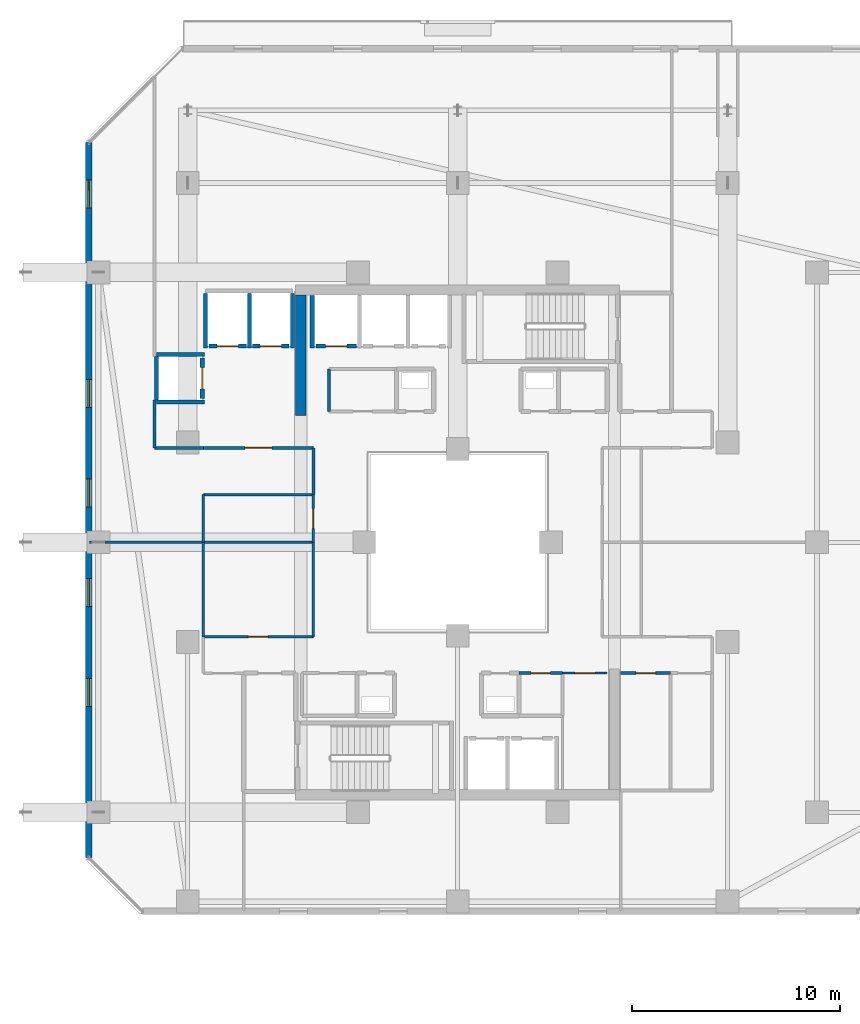
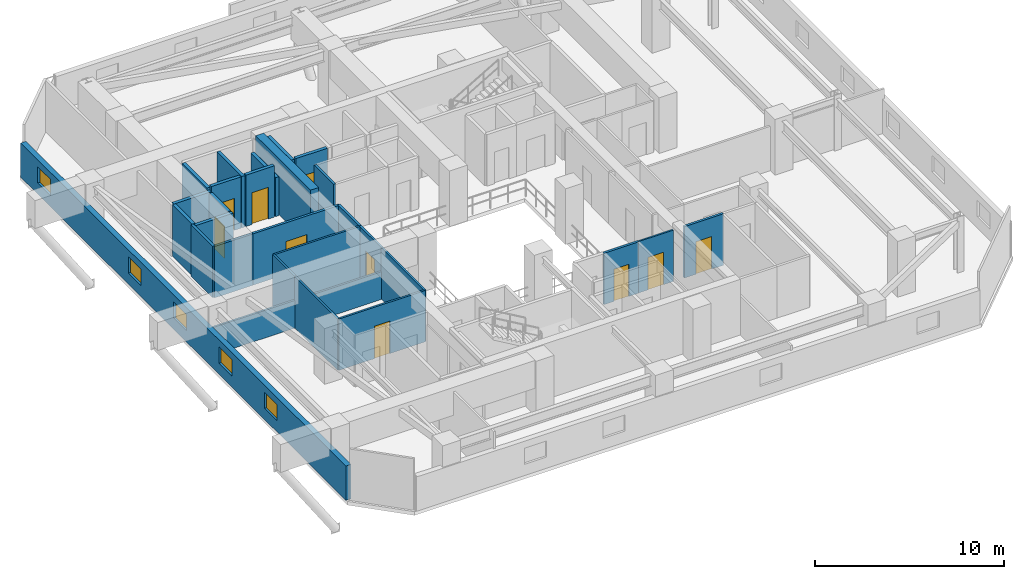
# One storey, part 23 of 36: 29 walls, 10 doors, 5 windows, 15 openings.
"""IFC4 building model written with IfcOpenShell, lengths in metres."""

from ifc_helpers import new_model, si_unit, direction, frame, frame_2d, origin, place, context, subcontext, project, spatial, rectangle, extrude, material, layer, layer_set, type_object, element, fill, save


model = new_model("IFC4")

# Units and contexts
model_context = context("Model", 3, precision=1e-05, world=origin(), true_north=direction((0.0, 1.0)))
body_context = subcontext(model_context, "Body", "Model", "MODEL_VIEW")
ifc_project = project(units=[si_unit("LENGTHUNIT", "METRE"), si_unit("AREAUNIT", "SQUARE_METRE"), si_unit("VOLUMEUNIT", "CUBIC_METRE"), si_unit("PLANEANGLEUNIT", "RADIAN"), si_unit("MASSUNIT", "GRAM", prefix="KILO")], contexts=[model_context])

# Site, building, storey
site_placement = place(None, origin())
site = spatial("IfcSite", under=ifc_project, at=site_placement, CompositionType="ELEMENT")
building_placement = place(site_placement, origin())
building = spatial("IfcBuilding", under=site, at=building_placement, Name="Thornwick Lancets Civic Towers", CompositionType="ELEMENT")
storey_placement = place(building_placement, frame((0.0, 0.0, 196.5)))
storey = spatial("IfcBuildingStorey", under=building, at=storey_placement, Name="L52", CompositionType="ELEMENT", Elevation=196.5)

# Wall, opening, door
ifc_material_1 = material(Name="Concrete blockwork C40/50", Category="masonry")
ifc_layer_1 = layer(ifc_material_1, 0.199951171875, Name="Concrete blockwork C40/50")
ifc_layer_set_1 = layer_set([ifc_layer_1], Name="Concrete blockwork C40/50")
wall_type_1 = type_object("IfcWallType", Name="WALL_COMP_200", PredefinedType="STANDARD", material=ifc_layer_set_1)
wall_1_placement = place(storey_placement, frame((20.6201171875, 36.449951171875, 0.0), z_axis=(0.0, 0.0, 1.0), x_axis=(-1.0, 0.0, 0.0)))
wall_1 = element("IfcWall", 1, at=wall_1_placement, inside=storey, type_object=wall_type_1, Name="L52 Hoistway Front Wall PL-AH3", PredefinedType="STANDARD", context=body_context, shape_type="SweptSolid", body=[
    extrude(rectangle(XDim=1.940185546875, YDim=0.199951171875, at=frame_2d((0.97021484375, 0.0))), origin(), (0.0, 0.0, 1.0), 3.320068359375),
])
opening_1_placement = place(wall_1_placement, frame((0.4599609375, 0.0, 0.0)))
opening_1 = element("IfcOpeningElement", 2, at=opening_1_placement, cuts=wall_1, Name="Opening LD-PL-AH3", PredefinedType="OPENING", context=body_context, shape_type="SweptSolid", body=[
    extrude(rectangle(XDim=1.02001953125, YDim=2.06005859375, at=frame_2d((0.510009765625, 1.030029296875))), frame((0.0, 0.10986328125, 0.0), z_axis=(0.0, -1.0, 0.0), x_axis=(1.0, 0.0, 0.0)), (0.0, 0.0, 1.0), 0.219970703125),
])
ifc_material_2 = material(Name="Brushed bronze stainless steel", Category="steel")
door_type_1 = type_object("IfcDoorType", Name="DOOR_LIFT_SLIDE", OperationType="SLIDING_TO_LEFT", PredefinedType="DOOR", material=ifc_material_2)
door_1_placement = place(opening_1_placement, origin())
door_1 = element("IfcDoor", 3, at=door_1_placement, inside=storey, type_object=door_type_1, Name="L52 Sliding Lift Landing Door LD-PL-AH3", OperationType="SLIDING_TO_LEFT", OverallHeight=2.06005859375, OverallWidth=1.02001953125, PredefinedType="DOOR", context=body_context, shape_type="SweptSolid", body=[
    extrude(rectangle(XDim=1.02001953125, YDim=2.06005859375, at=frame_2d((0.510009765625, 1.030029296875))), frame((0.0, 0.02490234375, 0.0), z_axis=(0.0, -1.0, 0.0), x_axis=(1.0, 0.0, 0.0)), (0.0, 0.0, 1.0), 0.050048828125),
])
fill(opening_1, door_1)

wall_2_placement = place(storey_placement, frame((17.3701171875, 36.449951171875, 0.0), z_axis=(0.0, 0.0, 1.0), x_axis=(-1.0, 0.0, 0.0)))
wall_2 = element("IfcWall", 4, at=wall_2_placement, inside=storey, type_object=wall_type_1, Name="L52 Hoistway Front Wall PL-AM1", PredefinedType="STANDARD", context=body_context, shape_type="SweptSolid", body=[
    extrude(rectangle(XDim=1.740234375, YDim=0.199951171875, at=frame_2d((0.8701171875, 0.0))), origin(), (0.0, 0.0, 1.0), 3.320068359375),
])
opening_2_placement = place(wall_2_placement, frame((0.360107421875, 0.0, 0.0)))
opening_2 = element("IfcOpeningElement", 5, at=opening_2_placement, cuts=wall_2, Name="Opening LD-PL-AM1", PredefinedType="OPENING", context=body_context, shape_type="SweptSolid", body=[
    extrude(rectangle(XDim=1.02001953125, YDim=2.06005859375, at=frame_2d((0.510009765625, 1.030029296875))), frame((0.0, 0.10986328125, 0.0), z_axis=(0.0, -1.0, 0.0), x_axis=(1.0, 0.0, 0.0)), (0.0, 0.0, 1.0), 0.219970703125),
])
door_2_placement = place(opening_2_placement, origin())
door_2 = element("IfcDoor", 6, at=door_2_placement, inside=storey, type_object=door_type_1, Name="L52 Sliding Lift Landing Door LD-PL-AM1", OperationType="SLIDING_TO_LEFT", OverallHeight=2.06005859375, OverallWidth=1.02001953125, PredefinedType="DOOR", context=body_context, shape_type="SweptSolid", body=[
    extrude(rectangle(XDim=1.02001953125, YDim=2.06005859375, at=frame_2d((0.510009765625, 1.030029296875))), frame((0.0, 0.02490234375, 0.0), z_axis=(0.0, -1.0, 0.0), x_axis=(1.0, 0.0, 0.0)), (0.0, 0.0, 1.0), 0.050048828125),
])
fill(opening_2, door_2)

wall_3_placement = place(storey_placement, frame((15.320068359375, 36.449951171875, 0.0), z_axis=(0.0, 0.0, 1.0), x_axis=(-1.0, 0.0, 0.0)))
wall_3 = element("IfcWall", 7, at=wall_3_placement, inside=storey, type_object=wall_type_1, Name="L52 Hoistway Front Wall PL-AM2", PredefinedType="STANDARD", context=body_context, shape_type="SweptSolid", body=[
    extrude(rectangle(XDim=1.7900390625, YDim=0.199951171875, at=frame_2d((0.89501953125, 0.0))), origin(), (0.0, 0.0, 1.0), 3.320068359375),
])
opening_3_placement = place(wall_3_placement, frame((0.385009765625, 0.0, 0.0)))
opening_3 = element("IfcOpeningElement", 8, at=opening_3_placement, cuts=wall_3, Name="Opening LD-PL-AM2", PredefinedType="OPENING", context=body_context, shape_type="SweptSolid", body=[
    extrude(rectangle(XDim=1.02001953125, YDim=2.06005859375, at=frame_2d((0.510009765625, 1.030029296875))), frame((0.0, 0.10986328125, 0.0), z_axis=(0.0, -1.0, 0.0), x_axis=(1.0, 0.0, 0.0)), (0.0, 0.0, 1.0), 0.219970703125),
])
door_3_placement = place(opening_3_placement, origin())
door_3 = element("IfcDoor", 9, at=door_3_placement, inside=storey, type_object=door_type_1, Name="L52 Sliding Lift Landing Door LD-PL-AM2", OperationType="SLIDING_TO_LEFT", OverallHeight=2.06005859375, OverallWidth=1.02001953125, PredefinedType="DOOR", context=body_context, shape_type="SweptSolid", body=[
    extrude(rectangle(XDim=1.02001953125, YDim=2.06005859375, at=frame_2d((0.510009765625, 1.030029296875))), frame((0.0, 0.02490234375, 0.0), z_axis=(0.0, -1.0, 0.0), x_axis=(1.0, 0.0, 0.0)), (0.0, 0.0, 1.0), 0.050048828125),
])
fill(opening_3, door_3)

wall_4_placement = place(storey_placement, frame((13.199951171875, 33.929931640625, 0.0), z_axis=(0.0, 0.0, 1.0), x_axis=(0.0, 1.0, 0.0)))
wall_4 = element("IfcWall", 10, at=wall_4_placement, inside=storey, type_object=wall_type_1, Name="L52 Hoistway Front Wall PL-AM3", PredefinedType="STANDARD", context=body_context, shape_type="SweptSolid", body=[
    extrude(rectangle(XDim=1.940185546875, YDim=0.199951171875, at=frame_2d((0.97021484375, 0.0))), origin(), (0.0, 0.0, 1.0), 3.320068359375),
])
opening_4_placement = place(wall_4_placement, frame((0.4599609375, 0.0, 0.0)))
opening_4 = element("IfcOpeningElement", 11, at=opening_4_placement, cuts=wall_4, Name="Opening LD-PL-AM3", PredefinedType="OPENING", context=body_context, shape_type="SweptSolid", body=[
    extrude(rectangle(XDim=1.02001953125, YDim=2.06005859375, at=frame_2d((0.510009765625, 1.030029296875))), frame((0.0, 0.10986328125, 0.0), z_axis=(0.0, -1.0, 0.0), x_axis=(1.0, 0.0, 0.0)), (0.0, 0.0, 1.0), 0.219970703125),
])
door_4_placement = place(opening_4_placement, origin())
door_4 = element("IfcDoor", 12, at=door_4_placement, inside=storey, type_object=door_type_1, Name="L52 Sliding Lift Landing Door LD-PL-AM3", OperationType="SLIDING_TO_LEFT", OverallHeight=2.06005859375, OverallWidth=1.02001953125, PredefinedType="DOOR", context=body_context, shape_type="SweptSolid", body=[
    extrude(rectangle(XDim=1.02001953125, YDim=2.06005859375, at=frame_2d((0.510009765625, 1.030029296875))), frame((0.0, 0.02490234375, 0.0), z_axis=(0.0, -1.0, 0.0), x_axis=(1.0, 0.0, 0.0)), (0.0, 0.0, 1.0), 0.050048828125),
])
fill(opening_4, door_4)

# Walls
wall_5_placement = place(storey_placement, frame((18.5, 36.35205078125, 0.0), z_axis=(0.0, 0.0, 1.0), x_axis=(0.0, 1.0, 0.0)))
element("IfcWall", 13, at=wall_5_placement, inside=storey, type_object=wall_type_1, Name="L52 Hoistway Shaft Wall PL-AH3 W", PredefinedType="STANDARD", context=body_context, shape_type="SweptSolid", body=[
    extrude(rectangle(XDim=2.535888671875, YDim=0.199951171875, at=frame_2d((1.26806640625, 0.0))), origin(), (0.0, 0.0, 1.0), 3.320068359375),
])
wall_6_placement = place(storey_placement, frame((17.550048828125, 36.35205078125, 0.0), z_axis=(0.0, 0.0, 1.0), x_axis=(0.0, 1.0, 0.0)))
element("IfcWall", 14, at=wall_6_placement, inside=storey, type_object=wall_type_1, Name="L52 Hoistway Shaft Wall PL-AM1 E", PredefinedType="STANDARD", context=body_context, shape_type="SweptSolid", body=[
    extrude(rectangle(XDim=2.635986328125, YDim=0.199951171875, at=frame_2d((1.31787109375, 0.0))), origin(), (0.0, 0.0, 1.0), 2.52490234375),
])
for number, where, z_axis, x_axis, name in (
    (15, (15.47509765625, 36.35205078125, 0.0), (0.0, 0.0, 1.0), (0.0, 1.0, 0.0), "L52 Hoistway Shaft Wall PL-AM1 W"),
    (16, (13.35009765625, 36.35205078125, 0.0), (0.0, 0.0, 1.0), (0.0, 1.0, 0.0), "L52 Hoistway Shaft Wall PL-AM2 W"),
):
    element("IfcWall", number, at=place(storey_placement, frame(where, z_axis=z_axis, x_axis=x_axis)), inside=storey, type_object=wall_type_1, Name=name, PredefinedType="STANDARD", context=body_context, shape_type="SweptSolid", body=[
        extrude(rectangle(XDim=2.635986328125, YDim=0.199951171875, at=frame_2d((1.31787109375, 0.0))), origin(), (0.0, 0.0, 1.0), 3.320068359375),
    ])
for number, where, z_axis, x_axis, name in (
    (17, (11.001953125, 36.050048828125, 0.0), (0.0, 0.0, 1.0), (1.0, 0.0, 0.0), "L52 Hoistway Shaft Wall PL-AM3 N"),
    (18, (11.001953125, 33.75, 0.0), (0.0, 0.0, 1.0), (1.0, 0.0, 0.0), "L52 Hoistway Shaft Wall PL-AM3 S"),
):
    element("IfcWall", number, at=place(storey_placement, frame(where, z_axis=z_axis, x_axis=x_axis)), inside=storey, type_object=wall_type_1, Name=name, PredefinedType="STANDARD", context=body_context, shape_type="SweptSolid", body=[
        extrude(rectangle(XDim=2.296142578125, YDim=0.199951171875, at=frame_2d((1.14794921875, 0.0))), origin(), (0.0, 0.0, 1.0), 3.320068359375),
    ])
wall_7_placement = place(storey_placement, frame((11.0, 33.862060546875, 0.0), z_axis=(0.0, 0.0, 1.0), x_axis=(0.0, 1.0, 0.0)))
element("IfcWall", 19, at=wall_7_placement, inside=storey, type_object=wall_type_1, Name="L52 Hoistway Shaft Wall PL-AM3 W", PredefinedType="STANDARD", context=body_context, shape_type="SweptSolid", body=[
    extrude(rectangle(XDim=2.075927734375, YDim=0.199951171875, at=frame_2d((1.0380859375, 0.0))), origin(), (0.0, 0.0, 1.0), 3.320068359375),
])
ifc_material_3 = material(Name="Concrete C50/60", Category="concrete")
ifc_layer_2 = layer(ifc_material_3, 0.5, Name="Concrete C50/60")
ifc_layer_set_2 = layer_set([ifc_layer_2], Name="Concrete C50/60")
wall_type_2 = type_object("IfcWallType", Name="WALL_CORE_500", PredefinedType="SHEAR", material=ifc_layer_set_2)
wall_8_placement = place(storey_placement, frame((17.949951171875, 33.10009765625, 0.0), z_axis=(0.0, 0.0, 1.0), x_axis=(0.0, 1.0, 0.0)))
element("IfcWall", 20, at=wall_8_placement, inside=storey, type_object=wall_type_2, Name="L52 Split Core A2 Shear Wall W", PredefinedType="SHEAR", context=body_context, shape_type="SweptSolid", body=[
    extrude(rectangle(XDim=5.7998046875, YDim=0.5, at=frame_2d((2.89990234375, 0.0))), origin(), (0.0, 0.0, 1.0), 3.60009765625),
])

# Wall, openings, windows
ifc_material_4 = material(Name="Insulated buff terracotta rainscreen on concrete C40/50", Category="masonry")
ifc_layer_3 = layer(ifc_material_4, 0.320068359375, Name="Insulated buff terracotta rainscreen on concrete C40/50")
ifc_layer_set_3 = layer_set([ifc_layer_3], Name="Insulated buff terracotta rainscreen on concrete C40/50")
wall_type_3 = type_object("IfcWallType", Name="WALL_EXT_TERRA_320", PredefinedType="STANDARD", material=ifc_layer_set_3)
wall_9_placement = place(storey_placement, frame((7.74169921875, 46.2509765625, 0.0), z_axis=(0.0, 0.0, 1.0), x_axis=(-0.000184351399, -0.999999983007, 0.0)))
wall_9 = element("IfcWall", 21, at=wall_9_placement, inside=storey, type_object=wall_type_3, Name="L52 Tower A Terracotta Facade Wall E6", PredefinedType="STANDARD", context=body_context, shape_type="SweptSolid", body=[
    extrude(rectangle(XDim=34.432373046875, YDim=0.320068359375, at=frame_2d((17.21630859375, 0.0))), origin(), (0.0, 0.0, 1.0), 2.219970703125),
])
opening_5_placement = place(wall_9_placement, frame((1.800048828125, 0.0, 0.719970703125)))
opening_5 = element("IfcOpeningElement", 22, at=opening_5_placement, cuts=wall_9, Name="Opening WL-03", PredefinedType="OPENING", context=body_context, shape_type="SweptSolid", body=[
    extrude(rectangle(XDim=1.35009765625, YDim=1.050048828125, at=frame_2d((0.675048828125, 0.52490234375))), frame((0.0, 0.169921875, 0.0), z_axis=(0.0, -1.0, 0.0), x_axis=(1.0, 0.0, 0.0)), (0.0, 0.0, 1.0), 0.340087890625),
])
opening_6_placement = place(wall_9_placement, frame((11.39990234375, 0.0, 0.719970703125)))
opening_6 = element("IfcOpeningElement", 23, at=opening_6_placement, cuts=wall_9, Name="Opening WL-03", PredefinedType="OPENING", context=body_context, shape_type="SweptSolid", body=[
    extrude(rectangle(XDim=1.35009765625, YDim=1.050048828125, at=frame_2d((0.675048828125, 0.52490234375))), frame((0.0, 0.169921875, 0.0), z_axis=(0.0, -1.0, 0.0), x_axis=(1.0, 0.0, 0.0)), (0.0, 0.0, 1.0), 0.340087890625),
])
opening_7_placement = place(wall_9_placement, frame((16.199951171875, 0.0, 0.719970703125)))
opening_7 = element("IfcOpeningElement", 24, at=opening_7_placement, cuts=wall_9, Name="Opening WL-03", PredefinedType="OPENING", context=body_context, shape_type="SweptSolid", body=[
    extrude(rectangle(XDim=1.35009765625, YDim=1.050048828125, at=frame_2d((0.675048828125, 0.52490234375))), frame((0.0, 0.169921875, 0.0), z_axis=(0.0, -1.0, 0.0), x_axis=(1.0, 0.0, 0.0)), (0.0, 0.0, 1.0), 0.340087890625),
])
opening_8_placement = place(wall_9_placement, frame((21.0, 0.0, 0.719970703125)))
opening_8 = element("IfcOpeningElement", 25, at=opening_8_placement, cuts=wall_9, Name="Opening WL-03", PredefinedType="OPENING", context=body_context, shape_type="SweptSolid", body=[
    extrude(rectangle(XDim=1.35009765625, YDim=1.050048828125, at=frame_2d((0.675048828125, 0.52490234375))), frame((0.0, 0.169921875, 0.0), z_axis=(0.0, -1.0, 0.0), x_axis=(1.0, 0.0, 0.0)), (0.0, 0.0, 1.0), 0.340087890625),
])
opening_9_placement = place(wall_9_placement, frame((25.800048828125, 0.0, 0.719970703125)))
opening_9 = element("IfcOpeningElement", 26, at=opening_9_placement, cuts=wall_9, Name="Opening WL-03", PredefinedType="OPENING", context=body_context, shape_type="SweptSolid", body=[
    extrude(rectangle(XDim=1.35009765625, YDim=1.050048828125, at=frame_2d((0.675048828125, 0.52490234375))), frame((0.0, 0.169921875, 0.0), z_axis=(0.0, -1.0, 0.0), x_axis=(1.0, 0.0, 0.0)), (0.0, 0.0, 1.0), 0.340087890625),
])
ifc_material_5 = material(Name="Clear low-e double glazing clerestory lancet", Category="glass")
window_type = type_object("IfcWindowType", Name="WIN_LANCET_1350", PartitioningType="SINGLE_PANEL", PredefinedType="WINDOW", material=ifc_material_5)
window_1_placement = place(opening_5_placement, origin())
window_1 = element("IfcWindow", 27, at=window_1_placement, inside=storey, type_object=window_type, Name="L52 Tower A Staggered Lancet Window E6-1", OverallHeight=1.050048828125, OverallWidth=1.35009765625, PartitioningType="SINGLE_PANEL", PredefinedType="WINDOW", context=body_context, shape_type="SweptSolid", body=[
    extrude(rectangle(XDim=1.35009765625, YDim=1.050048828125, at=frame_2d((0.675048828125, 0.52490234375))), frame((0.0, 0.030029296875, 0.0), z_axis=(0.0, -1.0, 0.0), x_axis=(1.0, 0.0, 0.0)), (0.0, 0.0, 1.0), 0.06005859375),
])
fill(opening_5, window_1)
window_2_placement = place(opening_6_placement, origin())
window_2 = element("IfcWindow", 28, at=window_2_placement, inside=storey, type_object=window_type, Name="L52 Tower A Staggered Lancet Window E6-2", OverallHeight=1.050048828125, OverallWidth=1.35009765625, PartitioningType="SINGLE_PANEL", PredefinedType="WINDOW", context=body_context, shape_type="SweptSolid", body=[
    extrude(rectangle(XDim=1.35009765625, YDim=1.050048828125, at=frame_2d((0.675048828125, 0.52490234375))), frame((0.0, 0.030029296875, 0.0), z_axis=(0.0, -1.0, 0.0), x_axis=(1.0, 0.0, 0.0)), (0.0, 0.0, 1.0), 0.06005859375),
])
fill(opening_6, window_2)
window_3_placement = place(opening_7_placement, origin())
window_3 = element("IfcWindow", 29, at=window_3_placement, inside=storey, type_object=window_type, Name="L52 Tower A Staggered Lancet Window E6-3", OverallHeight=1.050048828125, OverallWidth=1.35009765625, PartitioningType="SINGLE_PANEL", PredefinedType="WINDOW", context=body_context, shape_type="SweptSolid", body=[
    extrude(rectangle(XDim=1.35009765625, YDim=1.050048828125, at=frame_2d((0.675048828125, 0.52490234375))), frame((0.0, 0.030029296875, 0.0), z_axis=(0.0, -1.0, 0.0), x_axis=(1.0, 0.0, 0.0)), (0.0, 0.0, 1.0), 0.06005859375),
])
fill(opening_7, window_3)
window_4_placement = place(opening_8_placement, origin())
window_4 = element("IfcWindow", 30, at=window_4_placement, inside=storey, type_object=window_type, Name="L52 Tower A Staggered Lancet Window E6-4", OverallHeight=1.050048828125, OverallWidth=1.35009765625, PartitioningType="SINGLE_PANEL", PredefinedType="WINDOW", context=body_context, shape_type="SweptSolid", body=[
    extrude(rectangle(XDim=1.35009765625, YDim=1.050048828125, at=frame_2d((0.675048828125, 0.52490234375))), frame((0.0, 0.030029296875, 0.0), z_axis=(0.0, -1.0, 0.0), x_axis=(1.0, 0.0, 0.0)), (0.0, 0.0, 1.0), 0.06005859375),
])
fill(opening_8, window_4)
window_5_placement = place(opening_9_placement, origin())
window_5 = element("IfcWindow", 31, at=window_5_placement, inside=storey, type_object=window_type, Name="L52 Tower A Staggered Lancet Window E6-5", OverallHeight=1.050048828125, OverallWidth=1.35009765625, PartitioningType="SINGLE_PANEL", PredefinedType="WINDOW", context=body_context, shape_type="SweptSolid", body=[
    extrude(rectangle(XDim=1.35009765625, YDim=1.050048828125, at=frame_2d((0.675048828125, 0.52490234375))), frame((0.0, 0.030029296875, 0.0), z_axis=(0.0, -1.0, 0.0), x_axis=(1.0, 0.0, 0.0)), (0.0, 0.0, 1.0), 0.06005859375),
])
fill(opening_9, window_5)

# Wall, opening, door
ifc_material_6 = material(Name="Lightweight cellular office partition")
ifc_layer_4 = layer(ifc_material_6, 0.10009765625, Name="Lightweight cellular office partition")
ifc_layer_set_4 = layer_set([ifc_layer_4], Name="Lightweight cellular office partition")
wall_type_4 = type_object("IfcWallType", Name="WALL_PART_100", PredefinedType="PARTITIONING", material=ifc_layer_set_4)
wall_10_placement = place(storey_placement, frame((30.550048828125, 20.699951171875, 0.0), z_axis=(0.0, 0.0, 1.0), x_axis=(1.0, 0.0, 0.0)))
wall_10 = element("IfcWall", 32, at=wall_10_placement, inside=storey, type_object=wall_type_4, Name="L52 Partition L52-A-CLN E5", PredefinedType="PARTITIONING", context=body_context, shape_type="SweptSolid", body=[
    extrude(rectangle(XDim=2.14990234375, YDim=0.10009765625, at=frame_2d((1.074951171875, 0.0))), origin(), (0.0, 0.0, 1.0), 3.320068359375),
])
opening_10_placement = place(wall_10_placement, frame((0.60009765625, 0.0, 0.0)))
opening_10 = element("IfcOpeningElement", 33, at=opening_10_placement, cuts=wall_10, Name="Opening D-L52-2307", PredefinedType="OPENING", context=body_context, shape_type="SweptSolid", body=[
    extrude(rectangle(XDim=0.949951171875, YDim=2.10009765625, at=frame_2d((0.47509765625, 1.050048828125))), frame((0.0, 0.06005859375, 0.0), z_axis=(0.0, -1.0, 0.0), x_axis=(1.0, 0.0, 0.0)), (0.0, 0.0, 1.0), 0.1201171875),
])
ifc_material_7 = material(Name="European oak acoustic doorset")
door_type_2 = type_object("IfcDoorType", Name="DOOR_OFFICE_950", OperationType="NOTDEFINED", PredefinedType="DOOR", material=ifc_material_7)
door_5_placement = place(opening_10_placement, origin())
door_5 = element("IfcDoor", 34, at=door_5_placement, inside=storey, type_object=door_type_2, Name="L52 Tower A Cleaners Store Door", OperationType="SINGLE_SWING_RIGHT", OverallHeight=2.10009765625, OverallWidth=0.949951171875, PredefinedType="DOOR", context=body_context, shape_type="SweptSolid", body=[
    extrude(rectangle(XDim=0.949951171875, YDim=2.10009765625, at=frame_2d((0.47509765625, 1.050048828125))), frame((0.0, 0.02490234375, 0.0), z_axis=(0.0, -1.0, 0.0), x_axis=(1.0, 0.0, 0.0)), (0.0, 0.0, 1.0), 0.050048828125),
])
fill(opening_10, door_5)

# Walls
ifc_material_8 = material(Name="Acoustic gypsum board partition")
ifc_layer_5 = layer(ifc_material_8, 0.1201171875, Name="Acoustic gypsum board partition")
ifc_layer_set_5 = layer_set([ifc_layer_5], Name="Acoustic gypsum board partition")
wall_type_5 = type_object("IfcWallType", Name="WALL_PART_120", PredefinedType="PARTITIONING", material=ifc_layer_set_5)
wall_11_placement = place(storey_placement, frame((7.780029296875, 27.0, 0.0), z_axis=(0.0, 0.0, 1.0), x_axis=(1.0, 0.0, 0.0)))
element("IfcWall", 35, at=wall_11_placement, inside=storey, type_object=wall_type_5, Name="L52 Partition L52-A-W1 E2", PredefinedType="PARTITIONING", context=body_context, shape_type="SweptSolid", body=[
    extrude(rectangle(XDim=5.469970703125, YDim=0.1201171875, at=frame_2d((2.73486328125, 0.0))), origin(), (0.0, 0.0, 1.0), 1.784912109375),
])
wall_12_placement = place(storey_placement, frame((13.25, 27.0, 0.0), z_axis=(0.0, 0.0, 1.0), x_axis=(0.0, -1.0, 0.0)))
element("IfcWall", 36, at=wall_12_placement, inside=storey, type_object=wall_type_5, Name="L52 Partition L52-A-W1 E3", PredefinedType="PARTITIONING", context=body_context, shape_type="SweptSolid", body=[
    extrude(rectangle(XDim=4.550048828125, YDim=0.1201171875, at=frame_2d((2.27490234375, 0.0))), origin(), (0.0, 0.0, 1.0), 3.320068359375),
])
wall_13_placement = place(storey_placement, frame((13.25, 27.0, 0.0), z_axis=(0.0, 0.0, 1.0), x_axis=(1.0, 0.0, 0.0)))
element("IfcWall", 37, at=wall_13_placement, inside=storey, type_object=wall_type_5, Name="L52 Partition L52-A-W2 E2", PredefinedType="PARTITIONING", context=body_context, shape_type="SweptSolid", body=[
    extrude(rectangle(XDim=5.300048828125, YDim=0.1201171875, at=frame_2d((2.64990234375, 0.0))), origin(), (0.0, 0.0, 1.0), 1.784912109375),
])
wall_14_placement = place(storey_placement, frame((18.550048828125, 27.0, 0.0), z_axis=(0.0, 0.0, 1.0), x_axis=(0.0, -1.0, 0.0)))
element("IfcWall", 38, at=wall_14_placement, inside=storey, type_object=wall_type_5, Name="L52 Partition L52-A-W2 E3", PredefinedType="PARTITIONING", context=body_context, shape_type="SweptSolid", body=[
    extrude(rectangle(XDim=4.550048828125, YDim=0.1201171875, at=frame_2d((2.27490234375, 0.0))), origin(), (0.0, 0.0, 1.0), 3.320068359375),
])

# Wall, opening, door
wall_15_placement = place(storey_placement, frame((18.550048828125, 22.449951171875, 0.0), z_axis=(0.0, 0.0, 1.0), x_axis=(-1.0, 0.0, 0.0)))
wall_15 = element("IfcWall", 39, at=wall_15_placement, inside=storey, type_object=wall_type_5, Name="L52 Partition L52-A-W2 E4", PredefinedType="PARTITIONING", context=body_context, shape_type="SweptSolid", body=[
    extrude(rectangle(XDim=5.300048828125, YDim=0.1201171875, at=frame_2d((2.64990234375, 0.0))), origin(), (0.0, 0.0, 1.0), 3.320068359375),
])
opening_11_placement = place(wall_15_placement, frame((2.175048828125, 0.0, 0.0)))
opening_11 = element("IfcOpeningElement", 40, at=opening_11_placement, cuts=wall_15, Name="Opening D-L52-2324", PredefinedType="OPENING", context=body_context, shape_type="SweptSolid", body=[
    extrude(rectangle(XDim=0.949951171875, YDim=2.10009765625, at=frame_2d((0.47509765625, 1.050048828125))), frame((0.0, 0.070068359375, 0.0), z_axis=(0.0, -1.0, 0.0), x_axis=(1.0, 0.0, 0.0)), (0.0, 0.0, 1.0), 0.14013671875),
])
door_6_placement = place(opening_11_placement, origin())
door_6 = element("IfcDoor", 41, at=door_6_placement, inside=storey, type_object=door_type_2, Name="L52 Tower A Statutory Research Suite Door", OperationType="SINGLE_SWING_LEFT", OverallHeight=2.10009765625, OverallWidth=0.949951171875, PredefinedType="DOOR", context=body_context, shape_type="SweptSolid", body=[
    extrude(rectangle(XDim=0.949951171875, YDim=2.10009765625, at=frame_2d((0.47509765625, 1.050048828125))), frame((0.0, 0.02490234375, 0.0), z_axis=(0.0, -1.0, 0.0), x_axis=(1.0, 0.0, 0.0)), (0.0, 0.0, 1.0), 0.050048828125),
])
fill(opening_11, door_6)

# Walls
wall_16_placement = place(storey_placement, frame((13.25, 27.0, 0.0), z_axis=(0.0, 0.0, 1.0), x_axis=(0.0, 1.0, 0.0)))
element("IfcWall", 42, at=wall_16_placement, inside=storey, type_object=wall_type_5, Name="L52 Partition L52-A-W3 E1", PredefinedType="PARTITIONING", context=body_context, shape_type="SweptSolid", body=[
    extrude(rectangle(XDim=2.300048828125, YDim=0.1201171875, at=frame_2d((1.14990234375, 0.0))), origin(), (0.0, 0.0, 1.0), 3.320068359375),
])
wall_17_placement = place(storey_placement, frame((13.25, 29.300048828125, 0.0), z_axis=(0.0, 0.0, 1.0), x_axis=(1.0, 0.0, 0.0)))
element("IfcWall", 43, at=wall_17_placement, inside=storey, type_object=wall_type_5, Name="L52 Partition L52-A-W3 E2", PredefinedType="PARTITIONING", context=body_context, shape_type="SweptSolid", body=[
    extrude(rectangle(XDim=5.300048828125, YDim=0.1201171875, at=frame_2d((2.64990234375, 0.0))), origin(), (0.0, 0.0, 1.0), 3.320068359375),
])

# Wall, opening, door
wall_18_placement = place(storey_placement, frame((18.550048828125, 29.300048828125, 0.0), z_axis=(0.0, 0.0, 1.0), x_axis=(0.0, -1.0, 0.0)))
wall_18 = element("IfcWall", 44, at=wall_18_placement, inside=storey, type_object=wall_type_5, Name="L52 Partition L52-A-W3 E3", PredefinedType="PARTITIONING", context=body_context, shape_type="SweptSolid", body=[
    extrude(rectangle(XDim=2.300048828125, YDim=0.1201171875, at=frame_2d((1.14990234375, 0.0))), origin(), (0.0, 0.0, 1.0), 3.320068359375),
])
opening_12_placement = place(wall_18_placement, frame((0.675048828125, 0.0, 0.0)))
opening_12 = element("IfcOpeningElement", 45, at=opening_12_placement, cuts=wall_18, Name="Opening D-L52-2325", PredefinedType="OPENING", context=body_context, shape_type="SweptSolid", body=[
    extrude(rectangle(XDim=0.949951171875, YDim=2.10009765625, at=frame_2d((0.47509765625, 1.050048828125))), frame((0.0, 0.070068359375, 0.0), z_axis=(0.0, -1.0, 0.0), x_axis=(1.0, 0.0, 0.0)), (0.0, 0.0, 1.0), 0.14013671875),
])
door_7_placement = place(opening_12_placement, origin())
door_7 = element("IfcDoor", 46, at=door_7_placement, inside=storey, type_object=door_type_2, Name="L52 Tower A Staff Tea Pantry and Lounge Door", OperationType="SINGLE_SWING_RIGHT", OverallHeight=2.10009765625, OverallWidth=0.949951171875, PredefinedType="DOOR", context=body_context, shape_type="SweptSolid", body=[
    extrude(rectangle(XDim=0.949951171875, YDim=2.10009765625, at=frame_2d((0.47509765625, 1.050048828125))), frame((0.0, 0.02490234375, 0.0), z_axis=(0.0, -1.0, 0.0), x_axis=(1.0, 0.0, 0.0)), (0.0, 0.0, 1.0), 0.050048828125),
])
fill(opening_12, door_7)

ifc_material_9 = material(Name="Twin-stud acoustic gypsum board")
ifc_layer_6 = layer(ifc_material_9, 0.14990234375, Name="Twin-stud acoustic gypsum board")
ifc_layer_set_6 = layer_set([ifc_layer_6], Name="Twin-stud acoustic gypsum board")
wall_type_6 = type_object("IfcWallType", Name="WALL_PART_150", PredefinedType="PARTITIONING", material=ifc_layer_set_6)
wall_19_placement = place(storey_placement, frame((28.449951171875, 20.699951171875, 0.0), z_axis=(0.0, 0.0, 1.0), x_axis=(1.0, 0.0, 0.0)))
wall_19 = element("IfcWall", 47, at=wall_19_placement, inside=storey, type_object=wall_type_6, Name="L52 Partition L52-A-MWC E4", PredefinedType="PARTITIONING", context=body_context, shape_type="SweptSolid", body=[
    extrude(rectangle(XDim=2.10009765625, YDim=0.14990234375, at=frame_2d((1.050048828125, 0.0))), origin(), (0.0, 0.0, 1.0), 3.320068359375),
])
opening_13_placement = place(wall_19_placement, frame((0.590087890625, 0.0, 0.0)))
opening_13 = element("IfcOpeningElement", 48, at=opening_13_placement, cuts=wall_19, Name="Opening D-L52-2306", PredefinedType="OPENING", context=body_context, shape_type="SweptSolid", body=[
    extrude(rectangle(XDim=0.919921875, YDim=2.080078125, at=frame_2d((0.4599609375, 1.0400390625))), frame((0.0, 0.0849609375, 0.0), z_axis=(0.0, -1.0, 0.0), x_axis=(1.0, 0.0, 0.0)), (0.0, 0.0, 1.0), 0.169921875),
])
ifc_material_10 = material(Name="Moisture-resistant oak doorset")
door_type_3 = type_object("IfcDoorType", Name="DOOR_WC_900", OperationType="NOTDEFINED", PredefinedType="DOOR", material=ifc_material_10)
door_8_placement = place(opening_13_placement, origin())
door_8 = element("IfcDoor", 49, at=door_8_placement, inside=storey, type_object=door_type_3, Name="L52 Tower A Male WC Door", OperationType="SINGLE_SWING_LEFT", OverallHeight=2.080078125, OverallWidth=0.919921875, PredefinedType="DOOR", context=body_context, shape_type="SweptSolid", body=[
    extrude(rectangle(XDim=0.919921875, YDim=2.080078125, at=frame_2d((0.4599609375, 1.0400390625))), frame((0.0, 0.02490234375, 0.0), z_axis=(0.0, -1.0, 0.0), x_axis=(1.0, 0.0, 0.0)), (0.0, 0.0, 1.0), 0.050048828125),
])
fill(opening_13, door_8)

# Wall
wall_20_placement = place(storey_placement, frame((19.300048828125, 33.300048828125, 0.0), z_axis=(0.0, 0.0, 1.0), x_axis=(0.0, 1.0, 0.0)))
element("IfcWall", 50, at=wall_20_placement, inside=storey, type_object=wall_type_6, Name="L52 Partition L52-A-FWC E1", PredefinedType="PARTITIONING", context=body_context, shape_type="SweptSolid", body=[
    extrude(rectangle(XDim=2.050048828125, YDim=0.14990234375, at=frame_2d((1.02490234375, 0.0))), origin(), (0.0, 0.0, 1.0), 3.320068359375),
])

# Wall, opening, door
wall_21_placement = place(storey_placement, frame((33.35009765625, 20.699951171875, 0.0), z_axis=(0.0, 0.0, 1.0), x_axis=(1.0, 0.0, 0.0)))
wall_21 = element("IfcWall", 51, at=wall_21_placement, inside=storey, type_object=wall_type_6, Name="L52 Partition L52-A-RECLAIM-L1 E3", PredefinedType="PARTITIONING", context=body_context, shape_type="SweptSolid", body=[
    extrude(rectangle(XDim=2.39990234375, YDim=0.14990234375, at=frame_2d((1.199951171875, 0.0))), origin(), (0.0, 0.0, 1.0), 3.320068359375),
])
opening_14_placement = place(wall_21_placement, frame((0.72509765625, 0.0, 0.0)))
opening_14 = element("IfcOpeningElement", 52, at=opening_14_placement, cuts=wall_21, Name="Opening D-L52-2321", PredefinedType="OPENING", context=body_context, shape_type="SweptSolid", body=[
    extrude(rectangle(XDim=0.949951171875, YDim=2.10009765625, at=frame_2d((0.47509765625, 1.050048828125))), frame((0.0, 0.0849609375, 0.0), z_axis=(0.0, -1.0, 0.0), x_axis=(1.0, 0.0, 0.0)), (0.0, 0.0, 1.0), 0.169921875),
])
door_9_placement = place(opening_14_placement, origin())
door_9 = element("IfcDoor", 53, at=door_9_placement, inside=storey, type_object=door_type_2, Name="L52 Tower A Policy Archive Door", OperationType="SINGLE_SWING_RIGHT", OverallHeight=2.10009765625, OverallWidth=0.949951171875, PredefinedType="DOOR", context=body_context, shape_type="SweptSolid", body=[
    extrude(rectangle(XDim=0.949951171875, YDim=2.10009765625, at=frame_2d((0.47509765625, 1.050048828125))), frame((0.0, 0.02490234375, 0.0), z_axis=(0.0, -1.0, 0.0), x_axis=(1.0, 0.0, 0.0)), (0.0, 0.0, 1.0), 0.050048828125),
])
fill(opening_14, door_9)

wall_22_placement = place(storey_placement, frame((13.25, 31.550048828125, 0.0), z_axis=(0.0, 0.0, 1.0), x_axis=(1.0, 0.0, 0.0)))
wall_22 = element("IfcWall", 54, at=wall_22_placement, inside=storey, type_object=wall_type_6, Name="L52 Partition L52-A-W4 E1", PredefinedType="PARTITIONING", context=body_context, shape_type="SweptSolid", body=[
    extrude(rectangle(XDim=5.300048828125, YDim=0.14990234375, at=frame_2d((2.64990234375, 0.0))), origin(), (0.0, 0.0, 1.0), 3.320068359375),
])
opening_15_placement = place(wall_22_placement, frame((2.0, 0.0, 0.0)))
opening_15 = element("IfcOpeningElement", 55, at=opening_15_placement, cuts=wall_22, Name="Opening D-L52-2326", PredefinedType="OPENING", context=body_context, shape_type="SweptSolid", body=[
    extrude(rectangle(XDim=1.300048828125, YDim=2.1201171875, at=frame_2d((0.64990234375, 1.06005859375))), frame((0.0, 0.0849609375, 0.0), z_axis=(0.0, -1.0, 0.0), x_axis=(1.0, 0.0, 0.0)), (0.0, 0.0, 1.0), 0.169921875),
])
ifc_material_11 = material(Name="Acoustic oak leaf-and-a-half doorset")
door_type_4 = type_object("IfcDoorType", Name="DOOR_MEET_1300", OperationType="DOUBLE_DOOR_SINGLE_SWING", PredefinedType="DOOR", material=ifc_material_11)
door_10_placement = place(opening_15_placement, origin())
door_10 = element("IfcDoor", 56, at=door_10_placement, inside=storey, type_object=door_type_4, Name="L52 Tower A Policy Briefing Room W4 Door", OperationType="DOUBLE_DOOR_SINGLE_SWING", OverallHeight=2.1201171875, OverallWidth=1.300048828125, PredefinedType="DOOR", context=body_context, shape_type="SweptSolid", body=[
    extrude(rectangle(XDim=1.300048828125, YDim=2.1201171875, at=frame_2d((0.64990234375, 1.06005859375))), frame((0.0, 0.02490234375, 0.0), z_axis=(0.0, -1.0, 0.0), x_axis=(1.0, 0.0, 0.0)), (0.0, 0.0, 1.0), 0.050048828125),
])
fill(opening_15, door_10)

# Walls
wall_23_placement = place(storey_placement, frame((18.550048828125, 31.550048828125, 0.0), z_axis=(0.0, 0.0, 1.0), x_axis=(0.0, -1.0, 0.0)))
element("IfcWall", 57, at=wall_23_placement, inside=storey, type_object=wall_type_6, Name="L52 Partition L52-A-W4 E2", PredefinedType="PARTITIONING", context=body_context, shape_type="SweptSolid", body=[
    extrude(rectangle(XDim=2.25, YDim=0.14990234375, at=frame_2d((1.125, 0.0))), origin(), (0.0, 0.0, 1.0), 3.320068359375),
])
wall_24_placement = place(storey_placement, frame((10.89990234375, 33.862060546875, 0.0), z_axis=(0.0, 0.0, 1.0), x_axis=(0.0, -1.0, 0.0)))
element("IfcWall", 58, at=wall_24_placement, inside=storey, type_object=wall_type_6, Name="L52 Partition L52-A-W4 E8", PredefinedType="PARTITIONING", context=body_context, shape_type="SweptSolid", body=[
    extrude(rectangle(XDim=2.31201171875, YDim=0.14990234375, at=frame_2d((1.156005859375, 0.0))), origin(), (0.0, 0.0, 1.0), 3.320068359375),
])
wall_25_placement = place(storey_placement, frame((10.89990234375, 31.550048828125, 0.0), z_axis=(0.0, 0.0, 1.0), x_axis=(1.0, 0.0, 0.0)))
element("IfcWall", 59, at=wall_25_placement, inside=storey, type_object=wall_type_6, Name="L52 Partition L52-A-W4 E9", PredefinedType="PARTITIONING", context=body_context, shape_type="SweptSolid", body=[
    extrude(rectangle(XDim=2.35009765625, YDim=0.14990234375, at=frame_2d((1.175048828125, 0.0))), origin(), (0.0, 0.0, 1.0), 3.320068359375),
])

save(model, "model.ifc")
